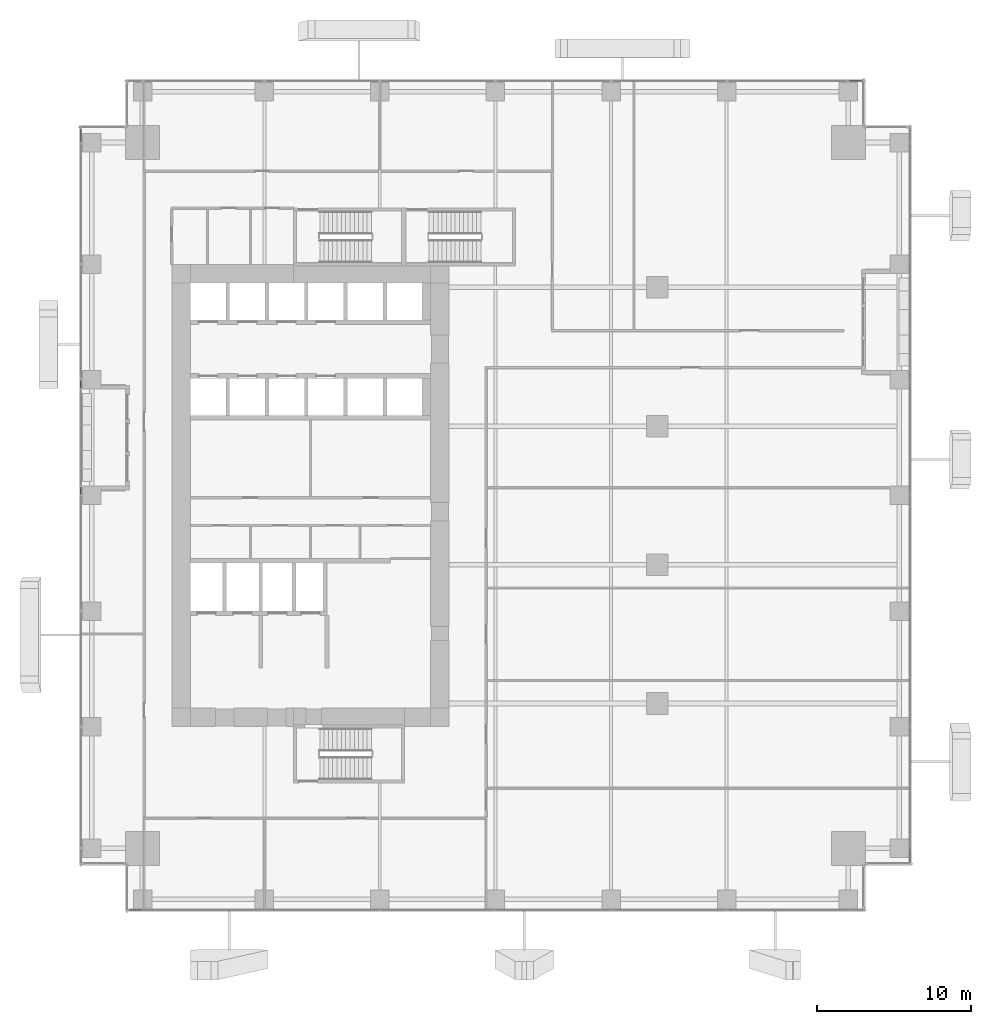
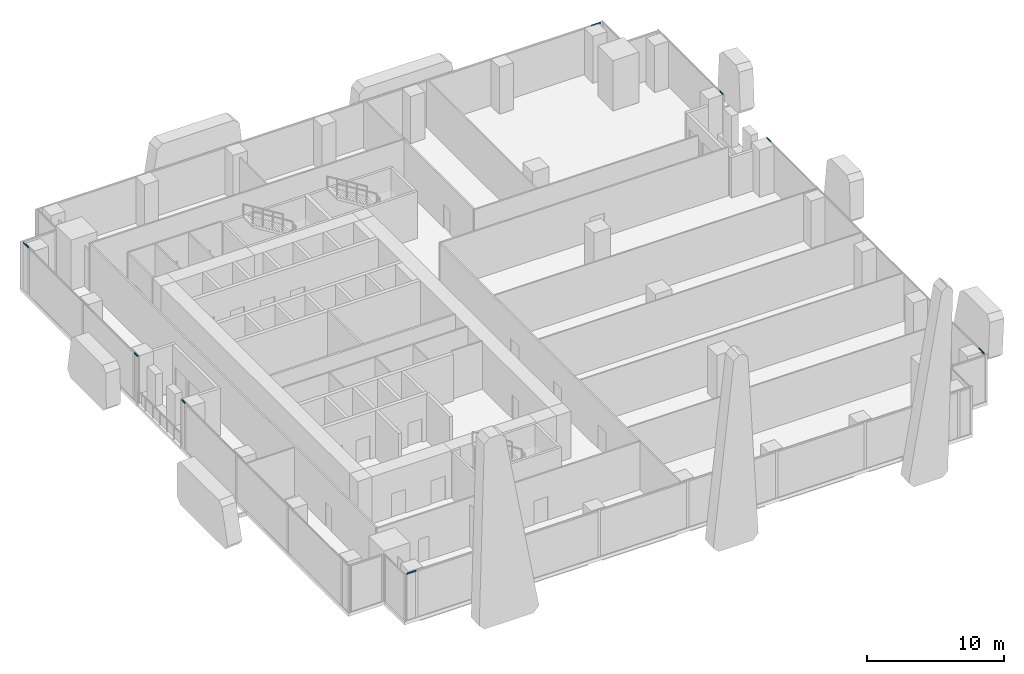
# One storey, part 21 of 35: 8 members, 6 elements without a shape of their own.
"""IFC4 building model written with IfcOpenShell, lengths in metres."""

from ifc_helpers import new_model, si_unit, direction, frame, origin, origin_2d, place, context, subcontext, project, spatial, hollow_rectangle, extrude, source, transform, mapped, material, material_profile, profile_set, type_object, element, aggregate, save


model = new_model("IFC4")

# Units and contexts
model_context = context("Model", 3, precision=1e-05, world=origin(), true_north=direction((0.0, 1.0)))
body_context = subcontext(model_context, "Body", "Model", "MODEL_VIEW")
ifc_project = project(units=[si_unit("LENGTHUNIT", "METRE"), si_unit("AREAUNIT", "SQUARE_METRE"), si_unit("VOLUMEUNIT", "CUBIC_METRE"), si_unit("PLANEANGLEUNIT", "RADIAN"), si_unit("MASSUNIT", "GRAM", prefix="KILO")], contexts=[model_context])

# Site, building, storey
site_placement = place(None, origin())
site = spatial("IfcSite", under=ifc_project, at=site_placement, CompositionType="ELEMENT")
building_placement = place(site_placement, origin())
building = spatial("IfcBuilding", under=site, at=building_placement, Name="Khomas Fold Tower", CompositionType="ELEMENT")
storey_placement = place(building_placement, frame((0.0, 0.0, 69.0)))
storey = spatial("IfcBuildingStorey", under=building, at=storey_placement, Name="L14", CompositionType="ELEMENT", Elevation=69.0)

# Curtain wall, member
ifc_material_1 = material(Name="Aluminium framed double glazing", Category="aluminium")
curtain_wall_type = type_object("IfcCurtainWallType", Name="SK-Unitised clear-glass wall, growing floors CW1", PredefinedType="NOTDEFINED", material=ifc_material_1)
curtain_wall_1_placement = place(storey_placement, origin())
curtain_wall_1 = element("IfcCurtainWall", 1, at=curtain_wall_1_placement, inside=storey, type_object=curtain_wall_type, Name="CW1 run L14 00-0", PredefinedType="NOTDEFINED")
ifc_material_2 = material(Name="Aluminium", Category="aluminium")
ifc_material_profile = material_profile(ifc_material_2, hollow_rectangle(XDim=0.06005859375, YDim=0.1201171875, WallThickness=0.00390625, at=origin_2d()), Name="SK-Unitised clear-glass wall, growing floors transom CW1-T")
ifc_profile_set = profile_set([ifc_material_profile], Name="Aluminium")
member_type = type_object("IfcMemberType", Name="SK-Unitised clear-glass wall, growing floors transom CW1-T", PredefinedType="USERDEFINED", material=ifc_profile_set)
shared_shape_1 = source(origin(), body_context, "Body", "SweptSolid", [
    extrude(hollow_rectangle(XDim=0.06005859375, YDim=0.1201171875, WallThickness=0.00390625, at=origin_2d()), origin(), (0.0, 0.0, 1.0), 0.81005859375),
])
member_1_placement = place(storey_placement, frame((3.260009765625, 0.10009765625, 4.139892578125), z_axis=(1.0, 0.0, 0.0), x_axis=(0.0, 1.0, 0.0)))
member_1 = element("IfcMember", 2, at=member_1_placement, type_object=member_type, Name="CW1 transom 1", ObjectType="TRANSOM", PredefinedType="USERDEFINED", context=body_context, shape_type="MappedRepresentation", body=[
    mapped(shared_shape_1, transform((0.0, 0.0, 0.0))),
])
aggregate(curtain_wall_1, [member_1])

curtain_wall_2_placement = place(storey_placement, origin())
curtain_wall_2 = element("IfcCurtainWall", 3, at=curtain_wall_2_placement, inside=storey, type_object=curtain_wall_type, Name="CW1 run L14 03-0", PredefinedType="NOTDEFINED")
member_2_placement = place(storey_placement, frame((53.89990234375, 3.260009765625, 4.139892578125), z_axis=(0.0, 1.0, 0.0), x_axis=(-1.0, 0.0, 0.0)))
member_2 = element("IfcMember", 4, at=member_2_placement, type_object=member_type, Name="CW1 transom 1", ObjectType="TRANSOM", PredefinedType="USERDEFINED", context=body_context, shape_type="MappedRepresentation", body=[
    mapped(shared_shape_1, transform((0.0, 0.0, 0.0))),
])

curtain_wall_3_placement = place(storey_placement, origin())
curtain_wall_3 = element("IfcCurtainWall", 5, at=curtain_wall_3_placement, inside=storey, type_object=curtain_wall_type, Name="CW1 run L14 06-0", PredefinedType="NOTDEFINED")
member_3_placement = place(storey_placement, frame((50.739990234375, 53.89990234375, 4.139892578125), z_axis=(-1.0, 0.0, 0.0), x_axis=(0.0, -1.0, 0.0)))
member_3 = element("IfcMember", 6, at=member_3_placement, type_object=member_type, Name="CW1 transom 1", ObjectType="TRANSOM", PredefinedType="USERDEFINED", context=body_context, shape_type="MappedRepresentation", body=[
    mapped(shared_shape_1, transform((0.0, 0.0, 0.0))),
])
aggregate(curtain_wall_3, [member_3])

curtain_wall_4_placement = place(storey_placement, origin())
curtain_wall_4 = element("IfcCurtainWall", 7, at=curtain_wall_4_placement, inside=storey, type_object=curtain_wall_type, Name="CW1 run L14 09-0", PredefinedType="NOTDEFINED")
member_4_placement = place(storey_placement, frame((0.10009765625, 50.739990234375, 4.139892578125), z_axis=(0.0, -1.0, 0.0), x_axis=(1.0, 0.0, 0.0)))
member_4 = element("IfcMember", 8, at=member_4_placement, type_object=member_type, Name="CW1 transom 1", ObjectType="TRANSOM", PredefinedType="USERDEFINED", context=body_context, shape_type="MappedRepresentation", body=[
    mapped(shared_shape_1, transform((0.0, 0.0, 0.0))),
])

# Member
shared_shape_2 = source(origin(), body_context, "Body", "SweptSolid", [
    extrude(hollow_rectangle(XDim=0.06005859375, YDim=0.1201171875, WallThickness=0.00390625, at=origin_2d()), origin(), (0.0, 0.0, 1.0), 0.510009765625),
])
member_5_placement = place(storey_placement, frame((53.89990234375, 34.530029296875, 4.139892578125), z_axis=(0.0, 1.0, 0.0), x_axis=(-1.0, 0.0, 0.0)))
member_5 = element("IfcMember", 9, at=member_5_placement, type_object=member_type, Name="CW1 transom 6", ObjectType="TRANSOM", PredefinedType="USERDEFINED", context=body_context, shape_type="MappedRepresentation", body=[
    mapped(shared_shape_2, transform((0.0, 0.0, 0.0))),
])

aggregate(curtain_wall_2, [member_2, member_5])

# Curtain wall, member
curtain_wall_5_placement = place(storey_placement, origin())
curtain_wall_5 = element("IfcCurtainWall", 10, at=curtain_wall_5_placement, inside=storey, type_object=curtain_wall_type, Name="CW1 run L14 03-1", PredefinedType="NOTDEFINED")
member_6_placement = place(storey_placement, frame((53.89990234375, 41.4599609375, 4.139892578125), z_axis=(0.0, 1.0, 0.0), x_axis=(-1.0, 0.0, 0.0)))
member_6 = element("IfcMember", 11, at=member_6_placement, type_object=member_type, Name="CW1 transom 1", ObjectType="TRANSOM", PredefinedType="USERDEFINED", context=body_context, shape_type="MappedRepresentation", body=[
    mapped(shared_shape_2, transform((0.0, 0.0, 0.0))),
])
aggregate(curtain_wall_5, [member_6])

# Member
member_7_placement = place(storey_placement, frame((0.10009765625, 34.469970703125, 4.139892578125), z_axis=(0.0, -1.0, 0.0), x_axis=(1.0, 0.0, 0.0)))
member_7 = element("IfcMember", 12, at=member_7_placement, type_object=member_type, Name="CW1 transom 4", ObjectType="TRANSOM", PredefinedType="USERDEFINED", context=body_context, shape_type="MappedRepresentation", body=[
    mapped(shared_shape_2, transform((0.0, 0.0, 0.0))),
])

aggregate(curtain_wall_4, [member_4, member_7])

# Curtain wall, member
curtain_wall_6_placement = place(storey_placement, origin())
curtain_wall_6 = element("IfcCurtainWall", 13, at=curtain_wall_6_placement, inside=storey, type_object=curtain_wall_type, Name="CW1 run L14 09-1", PredefinedType="NOTDEFINED")
member_8_placement = place(storey_placement, frame((0.10009765625, 27.5400390625, 4.139892578125), z_axis=(0.0, -1.0, 0.0), x_axis=(1.0, 0.0, 0.0)))
member_8 = element("IfcMember", 14, at=member_8_placement, type_object=member_type, Name="CW1 transom 1", ObjectType="TRANSOM", PredefinedType="USERDEFINED", context=body_context, shape_type="MappedRepresentation", body=[
    mapped(shared_shape_2, transform((0.0, 0.0, 0.0))),
])
aggregate(curtain_wall_6, [member_8])

save(model, "model.ifc")
